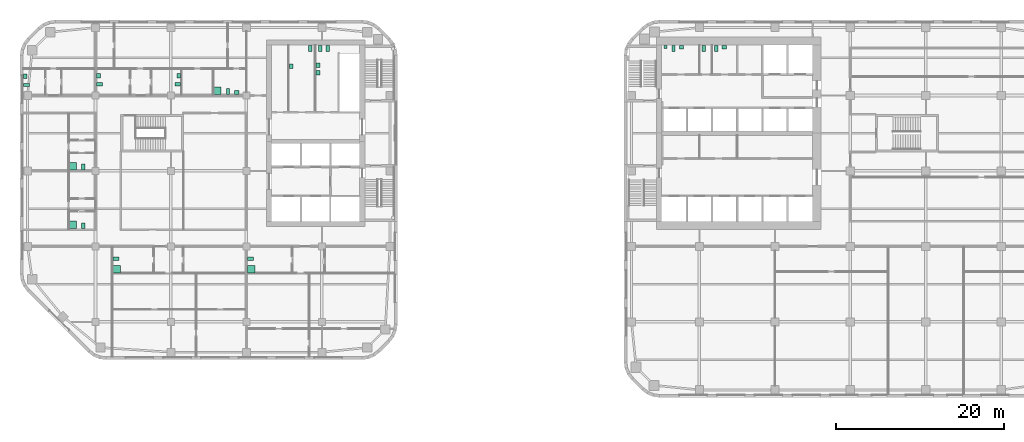
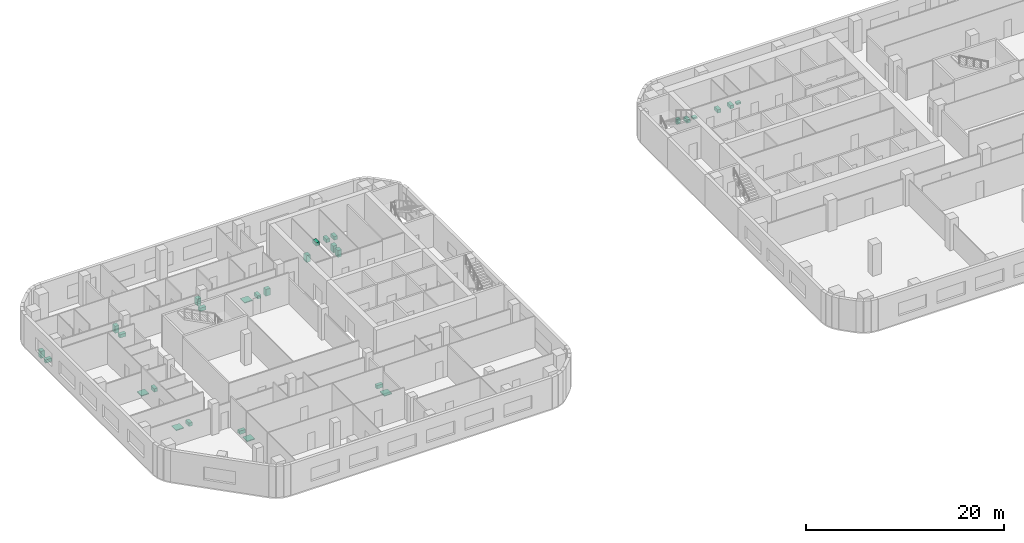
# One storey, part 16 of 16: 29 sanitary terminals.
"""IFC4 building model written with IfcOpenShell, lengths in metres."""

from ifc_helpers import new_model, si_unit, direction, frame, origin, origin_2d, place, context, subcontext, project, spatial, rectangle, extrude, material, type_object, element, save


model = new_model("IFC4")

# Units and contexts
model_context = context("Model", 3, precision=1e-05, world=origin(), true_north=direction((0.0, 1.0)))
body_context = subcontext(model_context, "Body", "Model", "MODEL_VIEW")
ifc_project = project(units=[si_unit("LENGTHUNIT", "METRE"), si_unit("AREAUNIT", "SQUARE_METRE"), si_unit("VOLUMEUNIT", "CUBIC_METRE"), si_unit("PLANEANGLEUNIT", "RADIAN"), si_unit("MASSUNIT", "GRAM", prefix="KILO")], contexts=[model_context])

# Site, building, storey
site_placement = place(None, origin())
site = spatial("IfcSite", under=ifc_project, at=site_placement, CompositionType="ELEMENT")
building_placement = place(site_placement, origin())
building = spatial("IfcBuilding", under=site, at=building_placement, Name="Cinnabar Reach Civic Tower", CompositionType="ELEMENT")
storey_placement = place(building_placement, frame((0.0, 0.0, 38.0)))
storey = spatial("IfcBuildingStorey", under=building, at=storey_placement, Name="L08", CompositionType="ELEMENT", Elevation=38.0)

# Sanitary terminals
ifc_material_1 = material(Name="Vitreous china")
sanitary_terminal_type_1 = type_object("IfcSanitaryTerminalType", Name="T1 WC pan", PredefinedType="TOILETPAN", material=ifc_material_1)
for number, where, z_axis, x_axis, name in (
    (1, (5.9, 41.6, 0.0), (0.0, 0.0, 1.0), (1.0, 0.0, 0.0), "T1 WC pan 0807-2"),
    (2, (9.5, 41.6, 0.0), (0.0, 0.0, 1.0), (1.0, 0.0, 0.0), "T1 WC pan 0808-1"),
    (3, (11.0, 41.6, 0.0), (0.0, 0.0, 1.0), (1.0, 0.0, 0.0), "T1 WC pan 0809-1"),
):
    element("IfcSanitaryTerminal", number, at=place(storey_placement, frame(where, z_axis=z_axis, x_axis=x_axis)), inside=storey, type_object=sanitary_terminal_type_1, Name=name, PredefinedType="TOILETPAN", context=body_context, shape_type="SweptSolid", body=[
        extrude(rectangle(XDim=0.4, YDim=0.7, at=origin_2d()), origin(), (0.0, 0.0, 1.0), 0.4),
    ])
sanitary_terminal_type_2 = type_object("IfcSanitaryTerminalType", Name="T1 urinal", PredefinedType="URINAL", material=ifc_material_1)
sanitary_terminal_1_placement = place(storey_placement, frame((4.95, 41.775, 0.0), z_axis=(0.0, 0.0, 1.0), x_axis=(1.0, 0.0, 0.0)))
element("IfcSanitaryTerminal", 4, at=sanitary_terminal_1_placement, inside=storey, type_object=sanitary_terminal_type_2, Name="T1 urinal 0807-1", PredefinedType="URINAL", context=body_context, shape_type="SweptSolid", body=[
    extrude(rectangle(XDim=0.4, YDim=0.35, at=origin_2d()), origin(), (0.0, 0.0, 1.0), 0.6),
])
sanitary_terminal_type_3 = type_object("IfcSanitaryTerminalType", Name="T1 wash basin", PredefinedType="WASHHANDBASIN", material=ifc_material_1)
for number, where, z_axis, x_axis, name in (
    (5, (6.85, 41.74, 0.0), (0.0, 0.0, 1.0), (1.0, 0.0, 0.0), "T1 wash basin 0807-3"),
    (6, (11.95, 41.74, 0.0), (0.0, 0.0, 1.0), (1.0, 0.0, 0.0), "T1 wash basin 0809-2"),
):
    element("IfcSanitaryTerminal", number, at=place(storey_placement, frame(where, z_axis=z_axis, x_axis=x_axis)), inside=storey, type_object=sanitary_terminal_type_3, Name=name, PredefinedType="WASHHANDBASIN", context=body_context, shape_type="SweptSolid", body=[
        extrude(rectangle(XDim=0.5, YDim=0.42, at=origin_2d()), origin(), (0.0, 0.0, 1.0), 0.2),
    ])
ifc_material_2 = material(Name="Acrylic tray")
sanitary_terminal_type_4 = type_object("IfcSanitaryTerminalType", Name="T2 Shower tray", PredefinedType="SHOWER", material=ifc_material_2)
for number, where, z_axis, x_axis, name in (
    (7, (-60.45, 15.3, 0.0), (0.0, 0.0, 1.0), (1.0, 0.0, 0.0), "Shower tray"),
    (8, (-44.425, 15.3, 0.0), (0.0, 0.0, 1.0), (1.0, 0.0, 0.0), "Shower tray"),
    (9, (-48.46, 36.575, 0.0), (0.0, 0.0, 1.0), (1.0, 0.0, 0.0), "Shower tray"),
    (10, (-65.7, 20.575, 0.0), (0.0, 0.0, 1.0), (1.0, 0.0, 0.0), "Shower tray"),
    (11, (-65.7, 27.575, 0.0), (0.0, 0.0, 1.0), (1.0, 0.0, 0.0), "Shower tray"),
):
    element("IfcSanitaryTerminal", number, at=place(storey_placement, frame(where, z_axis=z_axis, x_axis=x_axis)), inside=storey, type_object=sanitary_terminal_type_4, Name=name, PredefinedType="SHOWER", context=body_context, shape_type="SweptSolid", body=[
        extrude(rectangle(XDim=0.9, YDim=0.9, at=origin_2d()), origin(), (0.0, 0.0, 1.0), 0.1),
    ])
sanitary_terminal_type_5 = type_object("IfcSanitaryTerminalType", Name="T2 WC pan", PredefinedType="TOILETPAN", material=ifc_material_1)
for number, where, z_axis, x_axis, name in (
    (12, (-37.4, 41.6, 0.0), (0.0, 0.0, 1.0), (1.0, 0.0, 0.0), "WC pan"),
    (13, (-36.2, 41.6, 0.0), (0.0, 0.0, 1.0), (1.0, 0.0, 0.0), "WC pan"),
    (14, (-35.3, 41.6, 0.0), (0.0, 0.0, 1.0), (1.0, 0.0, 0.0), "WC pan"),
):
    element("IfcSanitaryTerminal", number, at=place(storey_placement, frame(where, z_axis=z_axis, x_axis=x_axis)), inside=storey, type_object=sanitary_terminal_type_5, Name=name, PredefinedType="TOILETPAN", context=body_context, shape_type="SweptSolid", body=[
        extrude(rectangle(XDim=0.4, YDim=0.7, at=origin_2d()), origin(), (0.0, 0.0, 1.0), 0.42),
    ])
for number, where, z_axis, x_axis, name in (
    (15, (-60.55, 16.55, 0.0), (0.0, 0.0, 1.0), (1.0, 0.0, 0.0), "WC pan"),
    (16, (-44.525, 16.55, 0.0), (0.0, 0.0, 1.0), (1.0, 0.0, 0.0), "WC pan"),
    (17, (-71.24, 37.25, 0.0), (0.0, 0.0, 1.0), (1.0, 0.0, 0.0), "WC pan"),
    (18, (-62.525, 37.325, 0.0), (0.0, 0.0, 1.0), (1.0, 0.0, 0.0), "WC pan"),
    (19, (-53.19, 37.325, 0.0), (0.0, 0.0, 1.0), (1.0, 0.0, 0.0), "WC pan"),
):
    element("IfcSanitaryTerminal", number, at=place(storey_placement, frame(where, z_axis=z_axis, x_axis=x_axis)), inside=storey, type_object=sanitary_terminal_type_5, Name=name, PredefinedType="TOILETPAN", context=body_context, shape_type="SweptSolid", body=[
        extrude(rectangle(XDim=0.7, YDim=0.4, at=origin_2d()), origin(), (0.0, 0.0, 1.0), 0.42),
    ])
for number, where, z_axis, x_axis, name in (
    (20, (-47.21, 36.475, 0.0), (0.0, 0.0, 1.0), (1.0, 0.0, 0.0), "WC pan"),
    (21, (-64.45, 20.475, 0.0), (0.0, 0.0, 1.0), (1.0, 0.0, 0.0), "WC pan"),
    (22, (-64.45, 27.475, 0.0), (0.0, 0.0, 1.0), (1.0, 0.0, 0.0), "WC pan"),
):
    element("IfcSanitaryTerminal", number, at=place(storey_placement, frame(where, z_axis=z_axis, x_axis=x_axis)), inside=storey, type_object=sanitary_terminal_type_5, Name=name, PredefinedType="TOILETPAN", context=body_context, shape_type="SweptSolid", body=[
        extrude(rectangle(XDim=0.4, YDim=0.7, at=origin_2d()), origin(), (0.0, 0.0, 1.0), 0.42),
    ])
sanitary_terminal_type_6 = type_object("IfcSanitaryTerminalType", Name="T2 Wash basin", PredefinedType="WASHHANDBASIN", material=ifc_material_1)
for number, where, z_axis, x_axis, name in (
    (23, (-39.675, 39.5, 0.0), (0.0, 0.0, 1.0), (1.0, 0.0, 0.0), "Wash basin"),
    (24, (-36.475, 39.6, 0.0), (0.0, 0.0, 1.0), (1.0, 0.0, 0.0), "Wash basin"),
    (25, (-36.475, 38.7, 0.0), (0.0, 0.0, 1.0), (1.0, 0.0, 0.0), "Wash basin"),
    (26, (-71.365, 38.3, 0.0), (0.0, 0.0, 1.0), (1.0, 0.0, 0.0), "Wash basin"),
    (27, (-62.65, 38.375, 0.0), (0.0, 0.0, 1.0), (1.0, 0.0, 0.0), "Wash basin"),
    (28, (-53.065, 38.375, 0.0), (0.0, 0.0, 1.0), (1.0, 0.0, 0.0), "Wash basin"),
):
    element("IfcSanitaryTerminal", number, at=place(storey_placement, frame(where, z_axis=z_axis, x_axis=x_axis)), inside=storey, type_object=sanitary_terminal_type_6, Name=name, PredefinedType="WASHHANDBASIN", context=body_context, shape_type="SweptSolid", body=[
        extrude(rectangle(XDim=0.45, YDim=0.55, at=origin_2d()), origin(), (0.0, 0.0, 1.0), 0.85),
    ])
sanitary_terminal_2_placement = place(storey_placement, frame((-46.16, 36.35, 0.0), z_axis=(0.0, 0.0, 1.0), x_axis=(1.0, 0.0, 0.0)))
element("IfcSanitaryTerminal", 29, at=sanitary_terminal_2_placement, inside=storey, type_object=sanitary_terminal_type_6, Name="Wash basin", PredefinedType="WASHHANDBASIN", context=body_context, shape_type="SweptSolid", body=[
    extrude(rectangle(XDim=0.55, YDim=0.45, at=origin_2d()), origin(), (0.0, 0.0, 1.0), 0.85),
])

save(model, "model.ifc")
